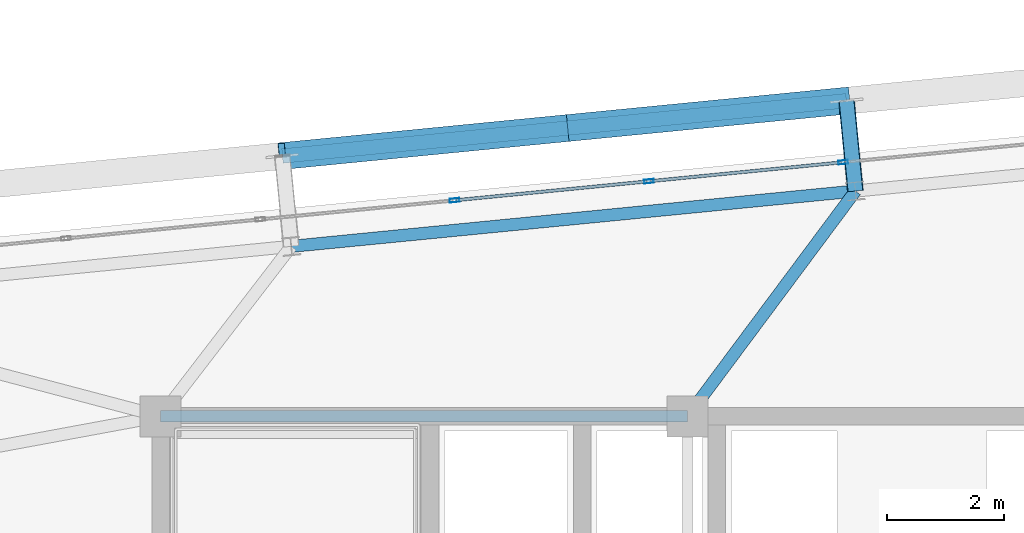
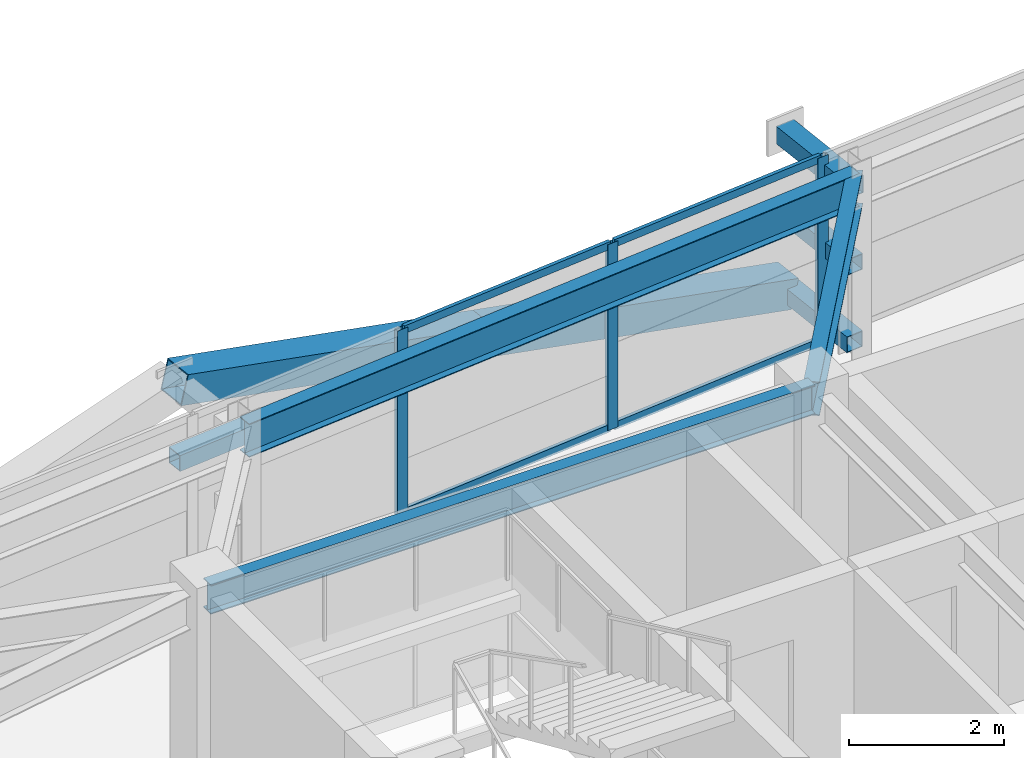
# One storey, part 29 of 52: 13 members, 3 beams, 1 element without a shape of its own.
"""IFC4 building model written with IfcOpenShell, lengths in metres."""

from ifc_helpers import new_model, si_unit, direction, frame, origin, origin_2d, place, context, subcontext, project, spatial, hollow_rectangle, i_section, extrude, source, transform, mapped, material, layer, layer_set, material_profile, profile_set, type_object, element, aggregate, save


model = new_model("IFC4")

# Units and contexts
model_context = context("Model", 3, precision=1e-05, world=origin(), true_north=direction((0.0, 1.0)))
body_context = subcontext(model_context, "Body", "Model", "MODEL_VIEW")
ifc_project = project(units=[si_unit("LENGTHUNIT", "METRE"), si_unit("AREAUNIT", "SQUARE_METRE"), si_unit("VOLUMEUNIT", "CUBIC_METRE"), si_unit("PLANEANGLEUNIT", "RADIAN"), si_unit("MASSUNIT", "GRAM", prefix="KILO")], contexts=[model_context])

# Site, building, storey
site_placement = place(None, origin())
site = spatial("IfcSite", under=ifc_project, at=site_placement, CompositionType="ELEMENT")
building_placement = place(site_placement, origin())
building = spatial("IfcBuilding", under=site, at=building_placement, Name="Taldren Reach Tower", CompositionType="ELEMENT")
storey_placement = place(building_placement, frame((0.0, 0.0, 74.550048828125)))
storey = spatial("IfcBuildingStorey", under=building, at=storey_placement, Name="L22", CompositionType="ELEMENT", Elevation=74.550048828125)

# Beam
ifc_material_1 = material(Name="Steel Gr 350 (350PLUS)", Category="steel")
ifc_material_profile_1 = material_profile(ifc_material_1, i_section(OverallWidth=0.19091796875, OverallDepth=0.4599609375, WebThickness=0.010009765625, FlangeThickness=0.01611328125, at=origin_2d()), Name="460UB82.1")
ifc_profile_set_1 = profile_set([ifc_material_profile_1], Name="Steel Gr 350 (350PLUS)")
beam_type_1 = type_object("IfcBeamType", Name="BM-UB460A", PredefinedType="BEAM", material=ifc_profile_set_1)
shared_shape_1 = source(origin(), body_context, "Body", "SweptSolid", [
    extrude(i_section(OverallWidth=0.19091796875, OverallDepth=0.4599609375, WebThickness=0.010009765625, FlangeThickness=0.01611328125, at=origin_2d()), origin(), (0.0, 0.0, 1.0), 9.0),
])
beam_1_placement = place(storey_placement, frame((19.0, 32.0, 2.699951171875), z_axis=(1.0, 0.0, 0.0), x_axis=(0.0, 1.0, 0.0)))
element("IfcBeam", 1, at=beam_1_placement, inside=storey, type_object=beam_type_1, Name="Core-spine girder L22-SP04", PredefinedType="BEAM", context=body_context, shape_type="MappedRepresentation", body=[
    mapped(shared_shape_1, transform((0.0, 0.0, 0.0), scale=1.0)),
])

# Members
ifc_material_2 = material(Name="Steel Gr 450 (C450L0)", Category="steel")
ifc_material_profile_2 = material_profile(ifc_material_2, hollow_rectangle(XDim=0.27490234375, YDim=0.27490234375, WallThickness=0.00927734375, at=origin_2d()), Name="275x275x9.3SHS")
ifc_profile_set_2 = profile_set([ifc_material_profile_2], Name="Steel Gr 450 (C450L0)")
member_type_1 = type_object("IfcMemberType", Name="MB-TIE273", PredefinedType="STRUT", material=ifc_profile_set_2)
shared_shape_2 = source(origin(), body_context, "Body", "SweptSolid", [
    extrude(hollow_rectangle(XDim=0.27490234375, YDim=0.27490234375, WallThickness=0.00927734375, at=origin_2d()), origin(), (0.0, 0.0, 1.0), 1.5498046875),
])
member_1_placement = place(storey_placement, frame((30.864501953125, 35.84619140625, 2.64990234375), z_axis=(-0.097663201064, 0.995219523099, 0.0), x_axis=(-0.995219523099, -0.097663201064, 0.0)))
element("IfcMember", 2, at=member_1_placement, inside=storey, type_object=member_type_1, Name="Exoskeleton diaphragm tie strut B2-N3 L22", PredefinedType="STRUT", context=body_context, shape_type="MappedRepresentation", body=[
    mapped(shared_shape_2, transform((0.0, 0.0, 0.0), scale=1.0)),
])
ifc_material_3 = material(Name="Steel Gr 350 (C350L0)", Category="steel")
ifc_material_profile_3 = material_profile(ifc_material_3, hollow_rectangle(XDim=0.25, YDim=0.25, WallThickness=0.010009765625, at=origin_2d()), Name="250x250x10.0SHS")
ifc_profile_set_3 = profile_set([ifc_material_profile_3], Name="Steel Gr 350 (C350L0)")
member_type_2 = type_object("IfcMemberType", Name="MB-POST250", PredefinedType="POST", material=ifc_profile_set_3)
shared_shape_3 = source(origin(), body_context, "Body", "SweptSolid", [
    extrude(hollow_rectangle(XDim=0.25, YDim=0.25, WallThickness=0.010009765625, at=origin_2d()), origin(), (0.0, 0.0, 1.0), 1.5498046875),
])
for number, where, z_axis, x_axis, name in (
    (3, (30.864501953125, 35.84619140625, 0.219970703125), (-0.097663201064, 0.995219523099, 0.0), (-0.995219523099, -0.097663201064, 0.0), "Exoskeleton base diaphragm tie strut B2-N3 L22"),
    (4, (30.864501953125, 35.84619140625, 1.43505859375), (-0.097663201064, 0.995219523099, 0.0), (-0.995219523099, -0.097663201064, 0.0), "Exoskeleton mid-tier diaphragm tie B2-N3 L22"),
):
    element("IfcMember", number, at=place(storey_placement, frame(where, z_axis=z_axis, x_axis=x_axis)), inside=storey, type_object=member_type_2, Name=name, PredefinedType="POST", context=body_context, shape_type="MappedRepresentation", body=[
        mapped(shared_shape_3, transform((0.0, 0.0, 0.0), scale=1.0)),
    ])

# Beams
ifc_material_profile_4 = material_profile(ifc_material_1, i_section(OverallWidth=0.208984375, OverallDepth=0.528076171875, WebThickness=0.009521484375, FlangeThickness=0.01318359375, at=origin_2d()), Name="530UB82.0")
ifc_profile_set_4 = profile_set([ifc_material_profile_4], Name="Steel Gr 350 (350PLUS)")
beam_type_2 = type_object("IfcBeamType", Name="SP-UB530B", PredefinedType="SPANDREL", material=ifc_profile_set_4)
shared_shape_4 = source(origin(), body_context, "Body", "SweptSolid", [
    extrude(i_section(OverallWidth=0.208984375, OverallDepth=0.528076171875, WebThickness=0.009521484375, FlangeThickness=0.01318359375, at=origin_2d()), origin(), (0.0, 0.0, 1.0), 9.679931640625),
])
beam_2_placement = place(storey_placement, frame((30.864501953125, 35.84619140625, 2.666015625), z_axis=(-0.995225162995, -0.097605711627, 0.0), x_axis=(0.097605711627, -0.995225162995, 0.0)))
element("IfcBeam", 5, at=beam_2_placement, inside=storey, type_object=beam_type_2, Name="Perimeter spandrel B2 N3-N2 L22", PredefinedType="SPANDREL", context=body_context, shape_type="MappedRepresentation", body=[
    mapped(shared_shape_4, transform((0.0, 0.0, 0.0), scale=1.0)),
])
ifc_material_profile_5 = material_profile(ifc_material_1, i_section(OverallWidth=0.208984375, OverallDepth=0.532958984375, WebThickness=0.01025390625, FlangeThickness=0.015625, at=origin_2d()), Name="530UB92.4")
ifc_profile_set_5 = profile_set([ifc_material_profile_5], Name="Steel Gr 350 (350PLUS)")
beam_type_3 = type_object("IfcBeamType", Name="BM-UB530A", PredefinedType="BEAM", material=ifc_profile_set_5)
shared_shape_5 = source(origin(), body_context, "Body", "SweptSolid", [
    extrude(i_section(OverallWidth=0.208984375, OverallDepth=0.532958984375, WebThickness=0.01025390625, FlangeThickness=0.015625, at=origin_2d()), origin(), (0.0, 0.0, 1.0), 4.795654296875),
])
beam_3_placement = place(storey_placement, frame((28.0, 32.0, 2.663330078125), z_axis=(0.59730864792, 0.802011458223, 0.0), x_axis=(-0.802011458223, 0.59730864792, 0.0)))
element("IfcBeam", 6, at=beam_3_placement, inside=storey, type_object=beam_type_3, Name="Primary floor girder B2-N3 L22", PredefinedType="BEAM", context=body_context, shape_type="MappedRepresentation", body=[
    mapped(shared_shape_5, transform((0.0, 0.0, 0.0), scale=1.0)),
])

# Members
ifc_material_profile_6 = material_profile(ifc_material_2, hollow_rectangle(XDim=0.4599609375, YDim=0.4599609375, WallThickness=0.01611328125, at=origin_2d()), Name="460x460x16.0SHS")
ifc_profile_set_6 = profile_set([ifc_material_profile_6], Name="Steel Gr 450 (C450L0)")
member_type_3 = type_object("IfcMemberType", Name="MB-EXO457", PredefinedType="BRACE", material=ifc_profile_set_6)
shared_shape_6 = source(origin(), body_context, "Body", "SweptSolid", [
    extrude(hollow_rectangle(XDim=0.4599609375, YDim=0.4599609375, WallThickness=0.01611328125, at=origin_2d()), origin(), (0.0, 0.0, 1.0), 4.990234375),
])
for number, where, z_axis, x_axis, name in (
    (7, (30.713134765625, 37.388671875, 0.219970703125), (-0.965275526283, -0.094619506732, 0.243496010862), (0.097555749586, -0.995230061706, 0.0), "Exoskeleton Diagrid Brace B2-N2 L22"),
    (8, (25.896240234375, 36.91650390625, 1.43505859375), (-0.965282554799, -0.094669120301, 0.243448859234), (0.097605711627, -0.995225162995, 0.0), "Exoskeleton Diagrid Brace B2-N2 L22"),
):
    element("IfcMember", number, at=place(storey_placement, frame(where, z_axis=z_axis, x_axis=x_axis)), inside=storey, type_object=member_type_3, Name=name, PredefinedType="BRACE", context=body_context, shape_type="MappedRepresentation", body=[
        mapped(shared_shape_6, transform((0.0, 0.0, 0.0), scale=1.0)),
    ])
shared_shape_7 = source(origin(), body_context, "Body", "SweptSolid", [
    extrude(hollow_rectangle(XDim=0.25, YDim=0.25, WallThickness=0.010009765625, at=origin_2d()), origin(), (0.0, 0.0, 1.0), 9.679931640625),
])
member_2_placement = place(storey_placement, frame((21.079345703125, 36.444091796875, 1.43505859375), z_axis=(0.995227612658, 0.097580730699, 0.0), x_axis=(-0.097580730699, 0.995227612658, 0.0)))
element("IfcMember", 9, at=member_2_placement, inside=storey, type_object=member_type_2, Name="Exoskeleton mid-height ring chord B2-N2 L22", PredefinedType="POST", context=body_context, shape_type="MappedRepresentation", body=[
    mapped(shared_shape_7, transform((0.0, 0.0, 0.0), scale=1.0)),
])

# Curtain wall, members
ifc_material_4 = material(Name="Aluminium and Low-E Glass Unitised System", Category="aluminium")
ifc_layer = layer(ifc_material_4, 0.159912109375)
ifc_layer_set = layer_set([ifc_layer], Name="Aluminium and Low-E Glass Unitised System")
curtain_wall_type = type_object("IfcCurtainWallType", Name="CW-SYS-3", PredefinedType="NOTDEFINED", material=ifc_layer_set)
curtain_wall_placement = place(storey_placement, origin())
curtain_wall = element("IfcCurtainWall", 10, at=curtain_wall_placement, inside=storey, type_object=curtain_wall_type, Name="Unitised curtain wall CW-L22-N", PredefinedType="NOTDEFINED")
ifc_material_5 = material(Name="Anodised Aluminium 6063-T6", Category="aluminium")
ifc_material_profile_7 = material_profile(ifc_material_5, hollow_rectangle(XDim=0.06494140625, YDim=0.1650390625, WallThickness=0.00390625, at=origin_2d()), Name="ALU-165x65x4RHS")
ifc_profile_set_7 = profile_set([ifc_material_profile_7], Name="Anodised Aluminium 6063-T6")
member_type_4 = type_object("IfcMemberType", Name="CW-MUL-165", PredefinedType="MULLION", material=ifc_profile_set_7)
shared_shape_8 = source(origin(), body_context, "Body", "SweptSolid", [
    extrude(hollow_rectangle(XDim=0.06494140625, YDim=0.1650390625, WallThickness=0.00390625, at=origin_2d()), origin(), (0.0, 0.0, 1.0), 2.929931640625),
])
member_3_placement = place(storey_placement, frame((30.655517578125, 36.338134765625, 0.0), z_axis=(0.0, 0.0, 1.0), x_axis=(0.097582999046, -0.995227390247, 0.0)))
member_3 = element("IfcMember", 11, at=member_3_placement, type_object=member_type_4, Name="CW-3 mullion 10", PredefinedType="MULLION", context=body_context, shape_type="MappedRepresentation", body=[
    mapped(shared_shape_8, transform((0.0, 0.0, 0.0), scale=1.0)),
])
member_4_placement = place(storey_placement, frame((27.337890625, 36.0126953125, 0.0), z_axis=(0.0, 0.0, 1.0), x_axis=(0.097582999046, -0.995227390247, 0.0)))
member_4 = element("IfcMember", 12, at=member_4_placement, type_object=member_type_4, Name="CW-3 mullion 11", PredefinedType="MULLION", context=body_context, shape_type="MappedRepresentation", body=[
    mapped(shared_shape_8, transform((0.0, 0.0, 0.0), scale=1.0)),
])
member_5_placement = place(storey_placement, frame((24.0205078125, 35.6875, 0.0), z_axis=(0.0, 0.0, 1.0), x_axis=(0.097582999046, -0.995227390247, 0.0)))
member_5 = element("IfcMember", 13, at=member_5_placement, type_object=member_type_4, Name="CW-3 mullion 12", PredefinedType="MULLION", context=body_context, shape_type="MappedRepresentation", body=[
    mapped(shared_shape_8, transform((0.0, 0.0, 0.0), scale=1.0)),
])
ifc_material_profile_8 = material_profile(ifc_material_5, hollow_rectangle(XDim=0.054931640625, YDim=0.1201171875, WallThickness=0.0029296875, at=origin_2d()), Name="ALU-120x55x3RHS")
ifc_profile_set_8 = profile_set([ifc_material_profile_8], Name="Anodised Aluminium 6063-T6")
member_type_5 = type_object("IfcMemberType", Name="CW-TRN-135", PredefinedType="USERDEFINED", material=ifc_profile_set_8)
shared_shape_9 = source(origin(), body_context, "Body", "SweptSolid", [
    extrude(hollow_rectangle(XDim=0.054931640625, YDim=0.1201171875, WallThickness=0.0029296875, at=origin_2d()), origin(), (0.0, 0.0, 1.0), 3.268310546875),
])
member_6_placement = place(storey_placement, frame((30.623046875, 36.3349609375, 0.02734375), z_axis=(-0.995222549564, -0.097632355496, 0.0), x_axis=(0.097632355496, -0.995222549564, 0.0)))
member_6 = element("IfcMember", 14, at=member_6_placement, type_object=member_type_5, Name="CW-3 transom 10.1", ObjectType="TRANSOM", PredefinedType="USERDEFINED", context=body_context, shape_type="MappedRepresentation", body=[
    mapped(shared_shape_9, transform((0.0, 0.0, 0.0), scale=1.0)),
])
member_7_placement = place(storey_placement, frame((30.623046875, 36.3349609375, 2.90234375), z_axis=(-0.995222549564, -0.097632355496, 0.0), x_axis=(0.097632355496, -0.995222549564, 0.0)))
member_7 = element("IfcMember", 15, at=member_7_placement, type_object=member_type_5, Name="CW-3 transom 10.2", ObjectType="TRANSOM", PredefinedType="USERDEFINED", context=body_context, shape_type="MappedRepresentation", body=[
    mapped(shared_shape_9, transform((0.0, 0.0, 0.0), scale=1.0)),
])
member_8_placement = place(storey_placement, frame((27.3056640625, 36.009521484375, 0.02734375), z_axis=(-0.99522980512, -0.097558367146, 0.0), x_axis=(0.097558367146, -0.99522980512, 0.0)))
member_8 = element("IfcMember", 16, at=member_8_placement, type_object=member_type_5, Name="CW-3 transom 11.1", ObjectType="TRANSOM", PredefinedType="USERDEFINED", context=body_context, shape_type="MappedRepresentation", body=[
    mapped(shared_shape_9, transform((0.0, 0.0, 0.0), scale=1.0)),
])
member_9_placement = place(storey_placement, frame((27.3056640625, 36.009521484375, 2.90234375), z_axis=(-0.99522980512, -0.097558367146, 0.0), x_axis=(0.097558367146, -0.99522980512, 0.0)))
member_9 = element("IfcMember", 17, at=member_9_placement, type_object=member_type_5, Name="CW-3 transom 11.2", ObjectType="TRANSOM", PredefinedType="USERDEFINED", context=body_context, shape_type="MappedRepresentation", body=[
    mapped(shared_shape_9, transform((0.0, 0.0, 0.0), scale=1.0)),
])
aggregate(curtain_wall, [member_3, member_4, member_5, member_6, member_7, member_8, member_9])

save(model, "model.ifc")
